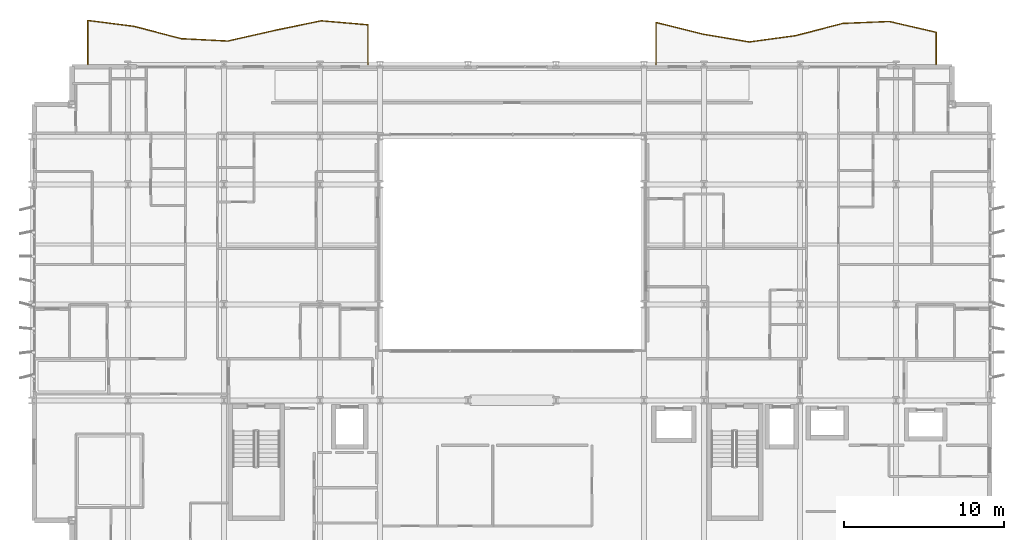
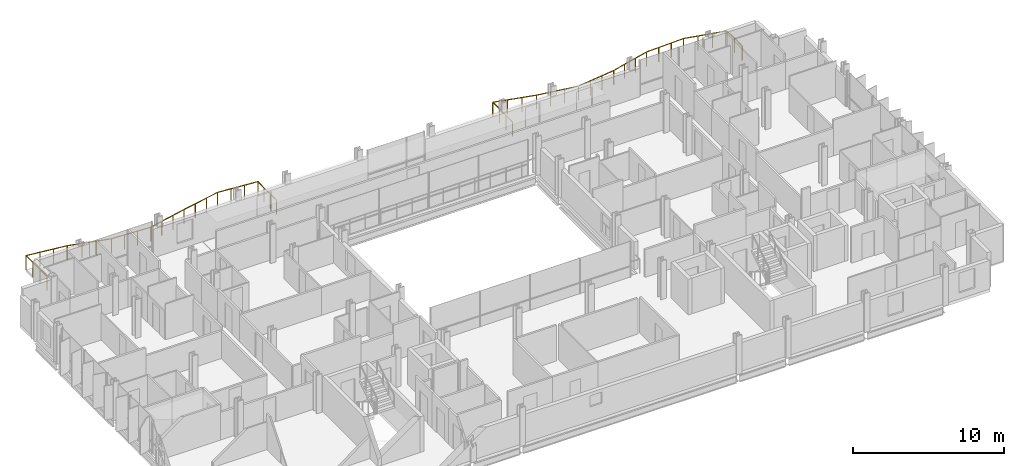
# One storey, part 38 of 38: 2 railings.
"""IFC4 building model written with IfcOpenShell, lengths in metres."""

import ifcopenshell
import ifcopenshell.guid

model = None  # the IFC model being written
_history = None  # IfcOwnerHistory: only IFC2X3 demands one
_inside = {}  # id of a spatial element -> (the spatial element, [elements in it])
_under = {}  # id of a project, library or spatial element -> (it, [spatial elements below it])
_declared = {}  # id of a project -> (the project, [libraries it declares])
_typed = {}  # id of a type object -> (the type object, [elements of that type])
_made_of = {}  # id of a material, layer set ... -> (it, [elements and type objects made of it])


def new_model(schema):
    """Start an empty IFC model of exactly this schema.

    Asked for "IFC4X3", IfcOpenShell would pick the latest addendum, in which some entities
    have other attributes; the version numbers below select the first issue.
    IFC2X3 requires an IfcOwnerHistory on every rooted entity: one is made here for all.
    """
    global model, _history
    if schema == "IFC4X3":
        model = ifcopenshell.file(schema_version=(4, 3, 0, 0))
    else:
        model = ifcopenshell.file(schema=schema)
    _inside.clear()
    _under.clear()
    _declared.clear()
    _typed.clear()
    _made_of.clear()
    _history = None
    if model.schema == "IFC2X3":
        org = make("IfcOrganization", Name="unknown")
        user = make(
            "IfcPersonAndOrganization",
            ThePerson=make("IfcPerson", FamilyName="unknown"),
            TheOrganization=org,
        )
        app = make(
            "IfcApplication",
            ApplicationDeveloper=org,
            Version="unknown",
            ApplicationFullName="unknown",
            ApplicationIdentifier="unknown",
        )
        _history = make(
            "IfcOwnerHistory",
            OwningUser=user,
            OwningApplication=app,
            ChangeAction="ADDED",
            CreationDate=0,
        )
    return model


def make(cls, **values):
    """One entity of the class cls with the attributes given. An attribute that is None is left unset."""
    return model.create_entity(
        cls, **{name: value for name, value in values.items() if value is not None}
    )


def rooted(cls, **values):
    """An entity with a GlobalId (a new one), such as an element, a storey or a relation."""
    return make(cls, GlobalId=ifcopenshell.guid.new(), OwnerHistory=_history, **values)


def si_unit(unit_type, name, prefix=None):
    """IfcSIUnit, for example si_unit("LENGTHUNIT", "METRE", prefix="MILLI")."""
    return make("IfcSIUnit", UnitType=unit_type, Prefix=prefix, Name=name)


def assignment(units):
    """IfcUnitAssignment: the units of a project."""
    return None if units is None else make("IfcUnitAssignment", Units=units)


def point(xyz):
    """IfcCartesianPoint."""
    return None if xyz is None else make("IfcCartesianPoint", Coordinates=xyz)


def direction(xyz):
    """IfcDirection."""
    return None if xyz is None else make("IfcDirection", DirectionRatios=xyz)


def frame(location, z_axis=None, x_axis=None):
    """IfcAxis2Placement3D, a coordinate frame: its origin and axes. An axis left out is left unset."""
    return make(
        "IfcAxis2Placement3D",
        Location=point(location),
        Axis=direction(z_axis),
        RefDirection=direction(x_axis),
    )


def frame_2d(location, x_axis=None):
    """IfcAxis2Placement2D, a coordinate frame in the plane: its origin and x axis."""
    return make(
        "IfcAxis2Placement2D", Location=point(location), RefDirection=direction(x_axis)
    )


def origin():
    """The frame at (0, 0, 0) with its axes left unset."""
    return frame((0.0, 0.0, 0.0))


def origin_2d():
    """The frame at (0, 0) in the plane with its x axis left unset."""
    return frame_2d((0.0, 0.0))


def place(relative_to, where):
    """IfcLocalPlacement: puts the frame where relative to a parent placement (None: the world)."""
    return make(
        "IfcLocalPlacement", PlacementRelTo=relative_to, RelativePlacement=where
    )


def context(
    kind, dimensions, precision=None, world=None, true_north=None, identifier=None
):
    """IfcGeometricRepresentationContext, for example the 3D "Model" context."""
    return make(
        "IfcGeometricRepresentationContext",
        ContextIdentifier=identifier,
        ContextType=kind,
        CoordinateSpaceDimension=dimensions,
        Precision=precision,
        WorldCoordinateSystem=world,
        TrueNorth=true_north,
    )


def subcontext(parent, identifier, kind, view, scale=None):
    """IfcGeometricRepresentationSubContext, for example "Body" below "Model"."""
    return make(
        "IfcGeometricRepresentationSubContext",
        ContextIdentifier=identifier,
        ContextType=kind,
        ParentContext=parent,
        TargetScale=scale,
        TargetView=view,
    )


def project(units=None, contexts=None):
    """IfcProject with its units and contexts."""
    return rooted(
        "IfcProject",
        Name="project",
        RepresentationContexts=contexts,
        UnitsInContext=assignment(units),
    )


def spatial(cls, under=None, at=None, **own):
    """A site, building, storey or space (cls), placed at a placement, below another one or the project."""
    s = rooted(cls, ObjectPlacement=at, **own)
    if under is not None:
        _under.setdefault(under.id(), (under, []))[1].append(s)
    return s


def profile(cls, at=None, kind="AREA", **sizes):
    """A parametric profile (cls). Its sizes go by their IFC names, for example OverallWidth=200.0."""
    return make(cls, ProfileType=kind, Position=at, **sizes)


def circle(**sizes):
    """IfcCircleProfileDef."""
    return profile("IfcCircleProfileDef", **sizes)


def extrude(swept, where, along, depth):
    """IfcExtrudedAreaSolid: the profile swept, set in the frame where, extruded along a direction by depth."""
    return make(
        "IfcExtrudedAreaSolid",
        SweptArea=swept,
        Position=where,
        ExtrudedDirection=direction(along),
        Depth=depth,
    )


def shape(context_of_items, identifier, shape_type, items):
    """IfcShapeRepresentation: the items that make up one representation, for example the "Body"."""
    return make(
        "IfcShapeRepresentation",
        ContextOfItems=context_of_items,
        RepresentationIdentifier=identifier,
        RepresentationType=shape_type,
        Items=items,
    )


def material(Name=None, Category=None):
    """IfcMaterial."""
    return make("IfcMaterial", Name=Name, Category=Category)


def made_of(thing, what):
    """Note that an element or type object is made of a material, layer set ...; save() writes the relation."""
    if what is not None:
        _made_of.setdefault(what.id(), (what, []))[1].append(thing)
    return thing


def type_object(cls, material=None, **own):
    """A type object (cls), such as IfcWallType, which elements share."""
    return made_of(rooted(cls, **own), material)


def element(
    cls,
    number,
    at=None,
    inside=None,
    cuts=None,
    type_object=None,
    material=None,
    context=None,
    identifier="Body",
    shape_type=None,
    held_by="IfcProductDefinitionShape",
    body=None,
    shapes=None,
    **own,
):
    """One element of the class cls, such as IfcWall. Its Tag is "e" and its number.

    at: its placement. inside: the storey or other place that contains it. cuts: it is an
    opening in that element (IfcRelVoidsElement). A single representation is given by context,
    identifier, shape_type and body (its items); several are given by shapes. held_by: the class
    of the entity that holds the representations. save() writes the other relations.
    """
    e = rooted(cls, Tag="e%d" % number, ObjectPlacement=at, **own)
    if body is not None:
        shapes = [shape(context, identifier, shape_type, body)]
    if shapes is not None:
        e.Representation = make(held_by, Representations=shapes)
    if inside is not None:
        _inside.setdefault(inside.id(), (inside, []))[1].append(e)
    if cuts is not None:
        rooted(
            "IfcRelVoidsElement", RelatingBuildingElement=cuts, RelatedOpeningElement=e
        )
    if type_object is not None:
        _typed.setdefault(type_object.id(), (type_object, []))[1].append(e)
    return made_of(e, material)


def aggregate(whole, parts):
    """IfcRelAggregates: a whole, such as a stair, and the parts it consists of."""
    return rooted("IfcRelAggregates", RelatingObject=whole, RelatedObjects=parts)


def save(model, path):
    """Write the relations noted so far, then the file.

    IfcRelAggregates (storeys below a building ...), IfcRelContainedInSpatialStructure (elements
    in a storey), IfcRelDefinesByType, IfcRelAssociatesMaterial and IfcRelDeclares: one each for
    every whole, place, type object, material and project.
    """
    for whole, parts in _under.values():
        aggregate(whole, parts)
    for where, things in _inside.values():
        rooted(
            "IfcRelContainedInSpatialStructure",
            RelatedElements=things,
            RelatingStructure=where,
        )
    for kind, things in _typed.values():
        rooted("IfcRelDefinesByType", RelatedObjects=things, RelatingType=kind)
    for what, things in _made_of.values():
        rooted("IfcRelAssociatesMaterial", RelatedObjects=things, RelatingMaterial=what)
    for by, libraries in _declared.values():
        rooted("IfcRelDeclares", RelatingContext=by, RelatedDefinitions=libraries)
    model.write(path)


model = new_model("IFC4")

# Units and contexts
model_context = context("Model", 3, precision=1e-05, world=origin(), true_north=direction((0.0, 1.0)))
body_context = subcontext(model_context, "Body", "Model", "MODEL_VIEW")
ifc_project = project(units=[si_unit("LENGTHUNIT", "METRE"), si_unit("AREAUNIT", "SQUARE_METRE"), si_unit("VOLUMEUNIT", "CUBIC_METRE"), si_unit("PLANEANGLEUNIT", "RADIAN"), si_unit("MASSUNIT", "GRAM", prefix="KILO")], contexts=[model_context])

# Site, building, storey
site_placement = place(None, origin())
site = spatial("IfcSite", under=ifc_project, at=site_placement, CompositionType="ELEMENT")
building_placement = place(site_placement, origin())
building = spatial("IfcBuilding", under=site, at=building_placement, Name="Brevholm Reach", CompositionType="ELEMENT")
storey_placement = place(building_placement, frame((0.0, 0.0, 52.800048828125)))
storey = spatial("IfcBuildingStorey", under=building, at=storey_placement, Name="L14", CompositionType="ELEMENT", Elevation=52.800048828125)

# Railings
ifc_material = material(Name="Brushed Stainless Steel EN 1.4401 and Laminated Glass", Category="steel")
railing_type = type_object("IfcRailingType", Name="RAL-BALC-1150", PredefinedType="BALUSTRADE", material=ifc_material)
railing_1_placement = place(storey_placement, frame((56.5, 31.0, 0.0)))
element("IfcRailing", 1, at=railing_1_placement, inside=storey, type_object=railing_type, Name="L14 Guard Balustrade RAL-L14-BAL-NE", PredefinedType="BALUSTRADE", context=body_context, shape_type="SweptSolid", body=[
    extrude(circle(Radius=0.02392578125, at=origin_2d()), frame((0.0, 0.0, 1.1259765625), z_axis=(0.0, 1.0, 0.0), x_axis=(-1.0, 0.0, 0.0)), (0.0, 0.0, 1.0), 2.00439453125),
    extrude(circle(Radius=0.02392578125, at=origin_2d()), frame((0.0, 2.00439453125, 1.1259765625), z_axis=(-0.974086615793, 0.226175296912, 0.0), x_axis=(-0.226175296912, -0.974086615793, 0.0)), (0.0, 0.0, 1.0), 2.994384765625),
    extrude(circle(Radius=0.02392578125, at=origin_2d()), frame((-2.916748046875, 2.681640625, 1.1259765625), z_axis=(-0.999139150441, -0.041484431493, 0.0), x_axis=(0.041484431493, -0.999139150441, 0.0)), (0.0, 0.0, 1.0), 2.9189453125),
    extrude(circle(Radius=0.02392578125, at=origin_2d()), frame((-5.833251953125, 2.560546875, 1.1259765625), z_axis=(-0.967688627029, -0.252148212601, 0.0), x_axis=(0.252148212601, -0.967688627029, 0.0)), (0.0, 0.0, 1.0), 3.01416015625),
    extrude(circle(Radius=0.02392578125, at=origin_2d()), frame((-8.75, 1.800537109375, 1.1259765625), z_axis=(-0.990776091279, -0.135509176626, 0.0), x_axis=(0.135509176626, -0.990776091279, 0.0)), (0.0, 0.0, 1.0), 2.94384765625),
    extrude(circle(Radius=0.02392578125, at=origin_2d()), frame((-11.666748046875, 1.401611328125, 1.1259765625), z_axis=(-0.986326897089, 0.164800643445, 0.0), x_axis=(-0.164800643445, -0.986326897089, 0.0)), (0.0, 0.0, 1.0), 2.95703125),
    extrude(circle(Radius=0.02392578125, at=origin_2d()), frame((-14.583251953125, 1.888916015625, 1.1259765625), z_axis=(-0.969908046993, 0.243471518618, 0.0), x_axis=(-0.243471518618, -0.969908046993, 0.0)), (0.0, 0.0, 1.0), 3.00732421875),
    extrude(circle(Radius=0.02392578125, at=origin_2d()), frame((-17.5, 2.62109375, 1.1259765625), z_axis=(0.0, -1.0, 0.0), x_axis=(1.0, 0.0, 0.0)), (0.0, 0.0, 1.0), 2.62109375),
    extrude(circle(Radius=0.02099609375, at=origin_2d()), origin(), (0.0, 0.0, 1.0), 1.101806640625),
    extrude(circle(Radius=0.02099609375, at=origin_2d()), frame((0.0, 1.002197265625, 0.0)), (0.0, 0.0, 1.0), 1.101806640625),
    extrude(circle(Radius=0.02099609375, at=origin_2d()), frame((0.0, 2.00439453125, 0.0)), (0.0, 0.0, 1.0), 1.101806640625),
    extrude(circle(Radius=0.02099609375, at=origin_2d()), frame((-0.97216796875, 2.230224609375, 0.0)), (0.0, 0.0, 1.0), 1.101806640625),
    extrude(circle(Radius=0.02099609375, at=origin_2d()), frame((-1.944580078125, 2.455810546875, 0.0)), (0.0, 0.0, 1.0), 1.101806640625),
    extrude(circle(Radius=0.02099609375, at=origin_2d()), frame((-2.916748046875, 2.681640625, 0.0)), (0.0, 0.0, 1.0), 1.101806640625),
    extrude(circle(Radius=0.02099609375, at=origin_2d()), frame((-3.888916015625, 2.641357421875, 0.0)), (0.0, 0.0, 1.0), 1.101806640625),
    extrude(circle(Radius=0.02099609375, at=origin_2d()), frame((-4.861083984375, 2.600830078125, 0.0)), (0.0, 0.0, 1.0), 1.101806640625),
    extrude(circle(Radius=0.02099609375, at=origin_2d()), frame((-5.833251953125, 2.560546875, 0.0)), (0.0, 0.0, 1.0), 1.101806640625),
    extrude(circle(Radius=0.02099609375, at=origin_2d()), frame((-6.805419921875, 2.30712890625, 0.0)), (0.0, 0.0, 1.0), 1.101806640625),
    extrude(circle(Radius=0.02099609375, at=origin_2d()), frame((-7.77783203125, 2.053955078125, 0.0)), (0.0, 0.0, 1.0), 1.101806640625),
    extrude(circle(Radius=0.02099609375, at=origin_2d()), frame((-8.75, 1.800537109375, 0.0)), (0.0, 0.0, 1.0), 1.101806640625),
    extrude(circle(Radius=0.02099609375, at=origin_2d()), frame((-9.72216796875, 1.66748046875, 0.0)), (0.0, 0.0, 1.0), 1.101806640625),
    extrude(circle(Radius=0.02099609375, at=origin_2d()), frame((-10.694580078125, 1.53466796875, 0.0)), (0.0, 0.0, 1.0), 1.101806640625),
    extrude(circle(Radius=0.02099609375, at=origin_2d()), frame((-11.666748046875, 1.401611328125, 0.0)), (0.0, 0.0, 1.0), 1.101806640625),
    extrude(circle(Radius=0.02099609375, at=origin_2d()), frame((-12.638916015625, 1.56396484375, 0.0)), (0.0, 0.0, 1.0), 1.101806640625),
    extrude(circle(Radius=0.02099609375, at=origin_2d()), frame((-13.611083984375, 1.7265625, 0.0)), (0.0, 0.0, 1.0), 1.101806640625),
    extrude(circle(Radius=0.02099609375, at=origin_2d()), frame((-14.583251953125, 1.888916015625, 0.0)), (0.0, 0.0, 1.0), 1.101806640625),
    extrude(circle(Radius=0.02099609375, at=origin_2d()), frame((-15.555419921875, 2.133056640625, 0.0)), (0.0, 0.0, 1.0), 1.101806640625),
    extrude(circle(Radius=0.02099609375, at=origin_2d()), frame((-16.52783203125, 2.376953125, 0.0)), (0.0, 0.0, 1.0), 1.101806640625),
    extrude(circle(Radius=0.02099609375, at=origin_2d()), frame((-17.5, 2.62109375, 0.0)), (0.0, 0.0, 1.0), 1.101806640625),
    extrude(circle(Radius=0.02099609375, at=origin_2d()), frame((-17.5, 1.747314453125, 0.0)), (0.0, 0.0, 1.0), 1.101806640625),
    extrude(circle(Radius=0.02099609375, at=origin_2d()), frame((-17.5, 0.873779296875, 0.0)), (0.0, 0.0, 1.0), 1.101806640625),
    extrude(circle(Radius=0.02099609375, at=origin_2d()), frame((-17.5, 0.0, 0.0)), (0.0, 0.0, 1.0), 1.101806640625),
])
railing_2_placement = place(storey_placement, frame((21.0, 31.0, 0.0)))
element("IfcRailing", 2, at=railing_2_placement, inside=storey, type_object=railing_type, Name="L14 Guard Balustrade RAL-L14-BAL-NW", PredefinedType="BALUSTRADE", context=body_context, shape_type="SweptSolid", body=[
    extrude(circle(Radius=0.02392578125, at=origin_2d()), frame((0.0, 0.0, 1.1259765625), z_axis=(0.0, 1.0, 0.0), x_axis=(-1.0, 0.0, 0.0)), (0.0, 0.0, 1.0), 2.4716796875),
    extrude(circle(Radius=0.02392578125, at=origin_2d()), frame((0.0, 2.4716796875, 1.1259765625), z_axis=(-0.996282713287, 0.086143805376, 0.0), x_axis=(-0.086143805376, -0.996282713287, 0.0)), (0.0, 0.0, 1.0), 2.927734375),
    extrude(circle(Radius=0.02392578125, at=origin_2d()), frame((-2.916748046875, 2.723876953125, 1.1259765625), z_axis=(-0.979367411888, -0.202087784221, 0.0), x_axis=(0.202087784221, -0.979367411888, 0.0)), (0.0, 0.0, 1.0), 2.97802734375),
    extrude(circle(Radius=0.02392578125, at=origin_2d()), frame((-5.833251953125, 2.1220703125, 1.1259765625), z_axis=(-0.975083925705, -0.221836286102, 0.0), x_axis=(0.221836286102, -0.975083925705, 0.0)), (0.0, 0.0, 1.0), 2.9912109375),
    extrude(circle(Radius=0.02392578125, at=origin_2d()), frame((-8.75, 1.45849609375, 1.1259765625), z_axis=(-0.998720239463, 0.050575520622, 0.0), x_axis=(-0.050575520622, -0.998720239463, 0.0)), (0.0, 0.0, 1.0), 2.92041015625),
    extrude(circle(Radius=0.02392578125, at=origin_2d()), frame((-11.666748046875, 1.606201171875, 1.1259765625), z_axis=(-0.967306983138, 0.25360836022, 0.0), x_axis=(-0.25360836022, -0.967306983138, 0.0)), (0.0, 0.0, 1.0), 3.01513671875),
    extrude(circle(Radius=0.02392578125, at=origin_2d()), frame((-14.583251953125, 2.370849609375, 1.1259765625), z_axis=(-0.991815212116, 0.12768157665, 0.0), x_axis=(-0.12768157665, -0.991815212116, 0.0)), (0.0, 0.0, 1.0), 2.94091796875),
    extrude(circle(Radius=0.02392578125, at=origin_2d()), frame((-17.5, 2.746337890625, 1.1259765625), z_axis=(0.0, -1.0, 0.0), x_axis=(1.0, 0.0, 0.0)), (0.0, 0.0, 1.0), 2.746337890625),
    extrude(circle(Radius=0.02099609375, at=origin_2d()), origin(), (0.0, 0.0, 1.0), 1.101806640625),
    extrude(circle(Radius=0.02099609375, at=origin_2d()), frame((0.0, 0.823974609375, 0.0)), (0.0, 0.0, 1.0), 1.101806640625),
    extrude(circle(Radius=0.02099609375, at=origin_2d()), frame((0.0, 1.647705078125, 0.0)), (0.0, 0.0, 1.0), 1.101806640625),
    extrude(circle(Radius=0.02099609375, at=origin_2d()), frame((0.0, 2.4716796875, 0.0)), (0.0, 0.0, 1.0), 1.101806640625),
    extrude(circle(Radius=0.02099609375, at=origin_2d()), frame((-0.97216796875, 2.5556640625, 0.0)), (0.0, 0.0, 1.0), 1.101806640625),
    extrude(circle(Radius=0.02099609375, at=origin_2d()), frame((-1.944580078125, 2.639892578125, 0.0)), (0.0, 0.0, 1.0), 1.101806640625),
    extrude(circle(Radius=0.02099609375, at=origin_2d()), frame((-2.916748046875, 2.723876953125, 0.0)), (0.0, 0.0, 1.0), 1.101806640625),
    extrude(circle(Radius=0.02099609375, at=origin_2d()), frame((-3.888916015625, 2.523193359375, 0.0)), (0.0, 0.0, 1.0), 1.101806640625),
    extrude(circle(Radius=0.02099609375, at=origin_2d()), frame((-4.861083984375, 2.32275390625, 0.0)), (0.0, 0.0, 1.0), 1.101806640625),
    extrude(circle(Radius=0.02099609375, at=origin_2d()), frame((-5.833251953125, 2.1220703125, 0.0)), (0.0, 0.0, 1.0), 1.101806640625),
    extrude(circle(Radius=0.02099609375, at=origin_2d()), frame((-6.805419921875, 1.90087890625, 0.0)), (0.0, 0.0, 1.0), 1.101806640625),
    extrude(circle(Radius=0.02099609375, at=origin_2d()), frame((-7.77783203125, 1.6796875, 0.0)), (0.0, 0.0, 1.0), 1.101806640625),
    extrude(circle(Radius=0.02099609375, at=origin_2d()), frame((-8.75, 1.45849609375, 0.0)), (0.0, 0.0, 1.0), 1.101806640625),
    extrude(circle(Radius=0.02099609375, at=origin_2d()), frame((-9.72216796875, 1.5078125, 0.0)), (0.0, 0.0, 1.0), 1.101806640625),
    extrude(circle(Radius=0.02099609375, at=origin_2d()), frame((-10.694580078125, 1.556884765625, 0.0)), (0.0, 0.0, 1.0), 1.101806640625),
    extrude(circle(Radius=0.02099609375, at=origin_2d()), frame((-11.666748046875, 1.606201171875, 0.0)), (0.0, 0.0, 1.0), 1.101806640625),
    extrude(circle(Radius=0.02099609375, at=origin_2d()), frame((-12.638916015625, 1.861083984375, 0.0)), (0.0, 0.0, 1.0), 1.101806640625),
    extrude(circle(Radius=0.02099609375, at=origin_2d()), frame((-13.611083984375, 2.115966796875, 0.0)), (0.0, 0.0, 1.0), 1.101806640625),
    extrude(circle(Radius=0.02099609375, at=origin_2d()), frame((-14.583251953125, 2.370849609375, 0.0)), (0.0, 0.0, 1.0), 1.101806640625),
    extrude(circle(Radius=0.02099609375, at=origin_2d()), frame((-15.555419921875, 2.49609375, 0.0)), (0.0, 0.0, 1.0), 1.101806640625),
    extrude(circle(Radius=0.02099609375, at=origin_2d()), frame((-16.52783203125, 2.62109375, 0.0)), (0.0, 0.0, 1.0), 1.101806640625),
    extrude(circle(Radius=0.02099609375, at=origin_2d()), frame((-17.5, 2.746337890625, 0.0)), (0.0, 0.0, 1.0), 1.101806640625),
    extrude(circle(Radius=0.02099609375, at=origin_2d()), frame((-17.5, 1.830810546875, 0.0)), (0.0, 0.0, 1.0), 1.101806640625),
    extrude(circle(Radius=0.02099609375, at=origin_2d()), frame((-17.5, 0.91552734375, 0.0)), (0.0, 0.0, 1.0), 1.101806640625),
    extrude(circle(Radius=0.02099609375, at=origin_2d()), frame((-17.5, 0.0, 0.0)), (0.0, 0.0, 1.0), 1.101806640625),
])

save(model, "model.ifc")
